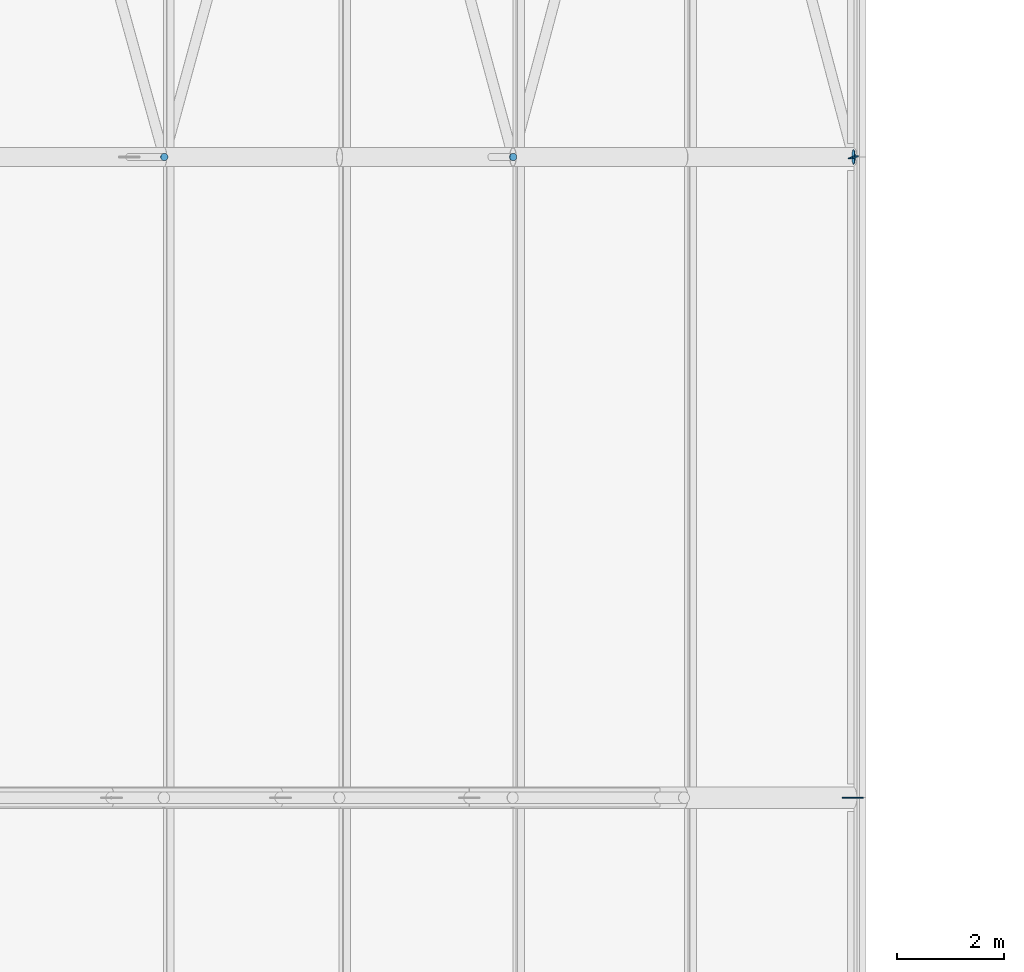
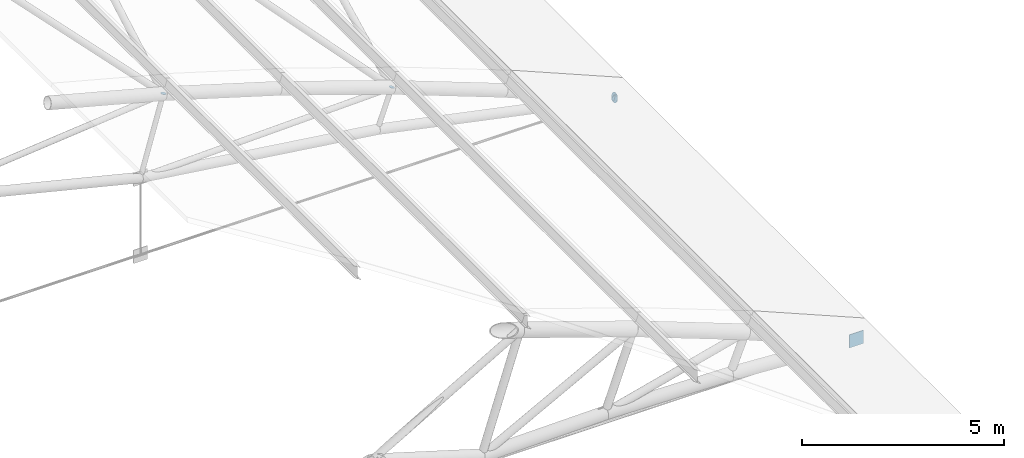
# One storey, part 270 of 321: 5 discrete accessories.
"""IFC4 building model written with IfcOpenShell, lengths in metres."""

from ifc_helpers import new_model, si_unit, direction, frame, origin, origin_2d, place, context, subcontext, project, spatial, rectangle, circle, extrude, material, material_profile, profile_set, type_object, element, save


model = new_model("IFC4")

# Units and contexts
model_context = context("Model", 3, precision=1e-05, world=origin(), true_north=direction((0.0, 1.0)))
body_context = subcontext(model_context, "Body", "Model", "MODEL_VIEW")
ifc_project = project(units=[si_unit("LENGTHUNIT", "METRE"), si_unit("AREAUNIT", "SQUARE_METRE"), si_unit("VOLUMEUNIT", "CUBIC_METRE"), si_unit("PLANEANGLEUNIT", "RADIAN"), si_unit("MASSUNIT", "GRAM", prefix="KILO")], contexts=[model_context])

# Site, building, storey
site_placement = place(None, origin())
site = spatial("IfcSite", under=ifc_project, at=site_placement, CompositionType="ELEMENT")
building_placement = place(site_placement, origin())
building = spatial("IfcBuilding", under=site, at=building_placement, Name="Ravi Spectrum Wholesale Market", CompositionType="ELEMENT")
storey_placement = place(building_placement, frame((0.0, 0.0, 10.800048828125)))
storey = spatial("IfcBuildingStorey", under=building, at=storey_placement, Name="L02", CompositionType="ELEMENT", Elevation=10.800048828125)

# Discrete accessories
ifc_material_1 = material(Name="Steel S355", Category="steel")
ifc_material_profile_1 = material_profile(ifc_material_1, circle(Radius=0.06982421875, at=origin_2d()))
ifc_profile_set_1 = profile_set([ifc_material_profile_1], Name="Steel S355")
discrete_accessory_type_1 = type_object("IfcDiscreteAccessoryType", Name="End plate CHS 139.7x5", PredefinedType="BRACKET", material=ifc_profile_set_1)
for number, where, z_axis, x_axis, name in (
    (1, (97.103759765625, 66.0, 4.661376953125), (0.266586054538, 0.0, 0.963811120254), (0.0, 1.0, 0.0), "End plate"),
    (2, (103.636962890625, 66.0, 2.56494140625), (0.346650140872, 0.0, 0.937994498829), (0.0, 1.0, 0.0), "End plate"),
):
    element("IfcDiscreteAccessory", number, at=place(storey_placement, frame(where, z_axis=z_axis, x_axis=x_axis)), inside=storey, type_object=discrete_accessory_type_1, Name=name, PredefinedType="BRACKET", context=body_context, shape_type="SweptSolid", body=[
        extrude(circle(Radius=0.06982421875, at=origin_2d()), origin(), (0.0, 0.0, 1.0), 0.011962890625),
    ])
ifc_material_2 = material(Name="Steel S355", Category="steel")
ifc_material_profile_2 = material_profile(ifc_material_2, circle(Radius=0.096923828125, at=origin_2d()))
ifc_profile_set_2 = profile_set([ifc_material_profile_2], Name="Steel S355")
discrete_accessory_type_2 = type_object("IfcDiscreteAccessoryType", Name="End plate CHS 193.7x6.3", PredefinedType="BRACKET", material=ifc_profile_set_2)
discrete_accessory_1_placement = place(storey_placement, frame((110.01025390625, 66.0, 0.023193359375), z_axis=(0.246079434959, -0.963811120254, -0.102533097899), x_axis=(0.968917710624, 0.247383245266, 0.0)))
element("IfcDiscreteAccessory", 3, at=discrete_accessory_1_placement, inside=storey, type_object=discrete_accessory_type_2, Name="End plate", PredefinedType="BRACKET", context=body_context, shape_type="SweptSolid", body=[
    extrude(circle(Radius=0.096923828125, at=origin_2d()), origin(), (0.0, 0.0, 1.0), 0.011962890625),
])
ifc_material_3 = material(Name="Steel S355", Category="steel")
ifc_material_profile_3 = material_profile(ifc_material_3, circle(Radius=0.136474609375, at=origin_2d()))
ifc_profile_set_3 = profile_set([ifc_material_profile_3], Name="Steel S355")
discrete_accessory_type_3 = type_object("IfcDiscreteAccessoryType", Name="End plate CHS 273x10", PredefinedType="BRACKET", material=ifc_profile_set_3)
discrete_accessory_2_placement = place(storey_placement, frame((110.01025390625, 66.0, 0.023193359375), z_axis=(0.978980419738, 0.0, -0.203954254112), x_axis=(0.0, 1.0, 0.0)))
element("IfcDiscreteAccessory", 4, at=discrete_accessory_2_placement, inside=storey, type_object=discrete_accessory_type_3, Name="End plate", PredefinedType="BRACKET", context=body_context, shape_type="SweptSolid", body=[
    extrude(circle(Radius=0.136474609375, at=origin_2d()), origin(), (0.0, 0.0, 1.0), 0.011962890625),
])
ifc_material_4 = material(Name="Steel S355", Category="steel")
ifc_material_profile_4 = material_profile(ifc_material_4, rectangle(XDim=0.39990234375, YDim=0.02001953125, at=origin_2d()))
ifc_profile_set_4 = profile_set([ifc_material_profile_4], Name="Steel S355")
discrete_accessory_type_4 = type_object("IfcDiscreteAccessoryType", Name="Gusset plate 400x400x20", PredefinedType="BRACKET", material=ifc_profile_set_4)
discrete_accessory_3_placement = place(storey_placement, frame((110.0, 54.0, -0.199951171875), z_axis=(0.0, 0.0, 1.0), x_axis=(1.0, 0.0, 0.0)))
element("IfcDiscreteAccessory", 5, at=discrete_accessory_3_placement, inside=storey, type_object=discrete_accessory_type_4, Name="Gusset plate", PredefinedType="BRACKET", context=body_context, shape_type="SweptSolid", body=[
    extrude(rectangle(XDim=0.39990234375, YDim=0.02001953125, at=origin_2d()), origin(), (0.0, 0.0, 1.0), 0.39990234375),
])

save(model, "model.ifc")
